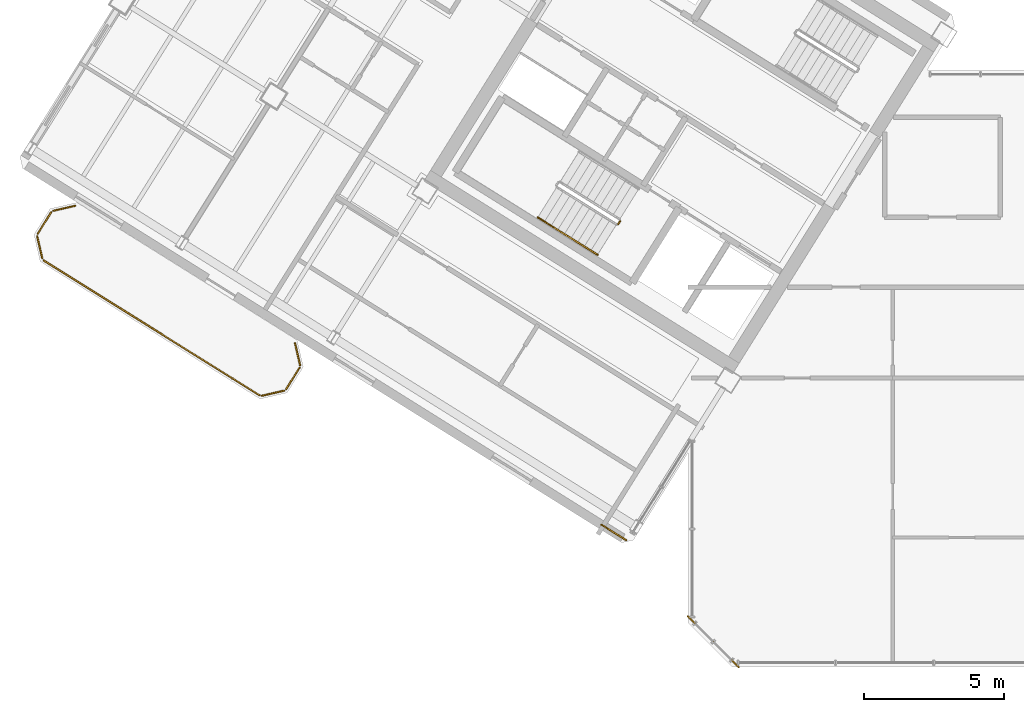
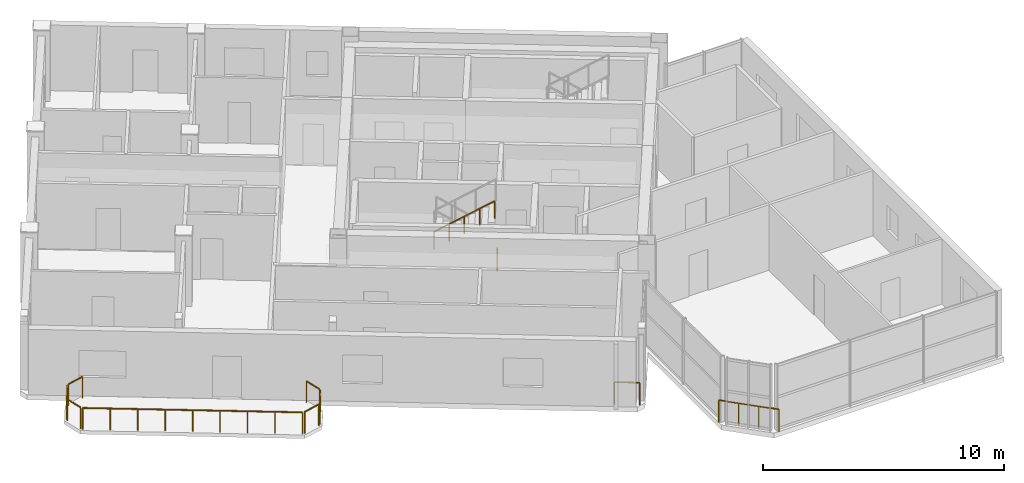
# One storey, part 11 of 13: 12 railings.
"""IFC4 building model written with IfcOpenShell, lengths in metres."""

import ifcopenshell
import ifcopenshell.guid

model = None  # the IFC model being written
_history = None  # IfcOwnerHistory: only IFC2X3 demands one
_inside = {}  # id of a spatial element -> (the spatial element, [elements in it])
_under = {}  # id of a project, library or spatial element -> (it, [spatial elements below it])
_declared = {}  # id of a project -> (the project, [libraries it declares])
_typed = {}  # id of a type object -> (the type object, [elements of that type])
_made_of = {}  # id of a material, layer set ... -> (it, [elements and type objects made of it])


def new_model(schema):
    """Start an empty IFC model of exactly this schema.

    Asked for "IFC4X3", IfcOpenShell would pick the latest addendum, in which some entities
    have other attributes; the version numbers below select the first issue.
    IFC2X3 requires an IfcOwnerHistory on every rooted entity: one is made here for all.
    """
    global model, _history
    if schema == "IFC4X3":
        model = ifcopenshell.file(schema_version=(4, 3, 0, 0))
    else:
        model = ifcopenshell.file(schema=schema)
    _inside.clear()
    _under.clear()
    _declared.clear()
    _typed.clear()
    _made_of.clear()
    _history = None
    if model.schema == "IFC2X3":
        org = make("IfcOrganization", Name="unknown")
        user = make(
            "IfcPersonAndOrganization",
            ThePerson=make("IfcPerson", FamilyName="unknown"),
            TheOrganization=org,
        )
        app = make(
            "IfcApplication",
            ApplicationDeveloper=org,
            Version="unknown",
            ApplicationFullName="unknown",
            ApplicationIdentifier="unknown",
        )
        _history = make(
            "IfcOwnerHistory",
            OwningUser=user,
            OwningApplication=app,
            ChangeAction="ADDED",
            CreationDate=0,
        )
    return model


def make(cls, **values):
    """One entity of the class cls with the attributes given. An attribute that is None is left unset."""
    return model.create_entity(
        cls, **{name: value for name, value in values.items() if value is not None}
    )


def rooted(cls, **values):
    """An entity with a GlobalId (a new one), such as an element, a storey or a relation."""
    return make(cls, GlobalId=ifcopenshell.guid.new(), OwnerHistory=_history, **values)


def si_unit(unit_type, name, prefix=None):
    """IfcSIUnit, for example si_unit("LENGTHUNIT", "METRE", prefix="MILLI")."""
    return make("IfcSIUnit", UnitType=unit_type, Prefix=prefix, Name=name)


def assignment(units):
    """IfcUnitAssignment: the units of a project."""
    return None if units is None else make("IfcUnitAssignment", Units=units)


def point(xyz):
    """IfcCartesianPoint."""
    return None if xyz is None else make("IfcCartesianPoint", Coordinates=xyz)


def direction(xyz):
    """IfcDirection."""
    return None if xyz is None else make("IfcDirection", DirectionRatios=xyz)


def frame(location, z_axis=None, x_axis=None):
    """IfcAxis2Placement3D, a coordinate frame: its origin and axes. An axis left out is left unset."""
    return make(
        "IfcAxis2Placement3D",
        Location=point(location),
        Axis=direction(z_axis),
        RefDirection=direction(x_axis),
    )


def frame_2d(location, x_axis=None):
    """IfcAxis2Placement2D, a coordinate frame in the plane: its origin and x axis."""
    return make(
        "IfcAxis2Placement2D", Location=point(location), RefDirection=direction(x_axis)
    )


def origin():
    """The frame at (0, 0, 0) with its axes left unset."""
    return frame((0.0, 0.0, 0.0))


def origin_2d():
    """The frame at (0, 0) in the plane with its x axis left unset."""
    return frame_2d((0.0, 0.0))


def place(relative_to, where):
    """IfcLocalPlacement: puts the frame where relative to a parent placement (None: the world)."""
    return make(
        "IfcLocalPlacement", PlacementRelTo=relative_to, RelativePlacement=where
    )


def context(
    kind, dimensions, precision=None, world=None, true_north=None, identifier=None
):
    """IfcGeometricRepresentationContext, for example the 3D "Model" context."""
    return make(
        "IfcGeometricRepresentationContext",
        ContextIdentifier=identifier,
        ContextType=kind,
        CoordinateSpaceDimension=dimensions,
        Precision=precision,
        WorldCoordinateSystem=world,
        TrueNorth=true_north,
    )


def subcontext(parent, identifier, kind, view, scale=None):
    """IfcGeometricRepresentationSubContext, for example "Body" below "Model"."""
    return make(
        "IfcGeometricRepresentationSubContext",
        ContextIdentifier=identifier,
        ContextType=kind,
        ParentContext=parent,
        TargetScale=scale,
        TargetView=view,
    )


def project(units=None, contexts=None):
    """IfcProject with its units and contexts."""
    return rooted(
        "IfcProject",
        Name="project",
        RepresentationContexts=contexts,
        UnitsInContext=assignment(units),
    )


def spatial(cls, under=None, at=None, **own):
    """A site, building, storey or space (cls), placed at a placement, below another one or the project."""
    s = rooted(cls, ObjectPlacement=at, **own)
    if under is not None:
        _under.setdefault(under.id(), (under, []))[1].append(s)
    return s


def profile(cls, at=None, kind="AREA", **sizes):
    """A parametric profile (cls). Its sizes go by their IFC names, for example OverallWidth=200.0."""
    return make(cls, ProfileType=kind, Position=at, **sizes)


def rectangle(**sizes):
    """IfcRectangleProfileDef."""
    return profile("IfcRectangleProfileDef", **sizes)


def extrude(swept, where, along, depth):
    """IfcExtrudedAreaSolid: the profile swept, set in the frame where, extruded along a direction by depth."""
    return make(
        "IfcExtrudedAreaSolid",
        SweptArea=swept,
        Position=where,
        ExtrudedDirection=direction(along),
        Depth=depth,
    )


def shape(context_of_items, identifier, shape_type, items):
    """IfcShapeRepresentation: the items that make up one representation, for example the "Body"."""
    return make(
        "IfcShapeRepresentation",
        ContextOfItems=context_of_items,
        RepresentationIdentifier=identifier,
        RepresentationType=shape_type,
        Items=items,
    )


def source(mapping_origin, context_of_items, identifier, shape_type, items):
    """IfcRepresentationMap: a shape defined once, which mapped items show again and again."""
    return make(
        "IfcRepresentationMap",
        MappingOrigin=mapping_origin,
        MappedRepresentation=shape(context_of_items, identifier, shape_type, items),
    )


def transform(
    local_origin,
    x_axis=None,
    y_axis=None,
    z_axis=None,
    scale=None,
    scale2=None,
    scale3=None,
    uniform=True,
):
    """IfcCartesianTransformationOperator3D, or its non-uniform kind. x_axis, y_axis, z_axis: its Axis1, 2, 3."""
    if uniform:
        return make(
            "IfcCartesianTransformationOperator3D",
            Axis1=direction(x_axis),
            Axis2=direction(y_axis),
            LocalOrigin=point(local_origin),
            Scale=scale,
            Axis3=direction(z_axis),
        )
    return make(
        "IfcCartesianTransformationOperator3DnonUniform",
        Axis1=direction(x_axis),
        Axis2=direction(y_axis),
        LocalOrigin=point(local_origin),
        Scale=scale,
        Axis3=direction(z_axis),
        Scale2=scale2,
        Scale3=scale3,
    )


def mapped(mapping_source, mapping_target):
    """IfcMappedItem: shows the shape of a source again, moved by a transform."""
    return make(
        "IfcMappedItem", MappingSource=mapping_source, MappingTarget=mapping_target
    )


def material(Name=None, Category=None):
    """IfcMaterial."""
    return make("IfcMaterial", Name=Name, Category=Category)


def made_of(thing, what):
    """Note that an element or type object is made of a material, layer set ...; save() writes the relation."""
    if what is not None:
        _made_of.setdefault(what.id(), (what, []))[1].append(thing)
    return thing


def type_object(cls, material=None, **own):
    """A type object (cls), such as IfcWallType, which elements share."""
    return made_of(rooted(cls, **own), material)


def element(
    cls,
    number,
    at=None,
    inside=None,
    cuts=None,
    type_object=None,
    material=None,
    context=None,
    identifier="Body",
    shape_type=None,
    held_by="IfcProductDefinitionShape",
    body=None,
    shapes=None,
    **own,
):
    """One element of the class cls, such as IfcWall. Its Tag is "e" and its number.

    at: its placement. inside: the storey or other place that contains it. cuts: it is an
    opening in that element (IfcRelVoidsElement). A single representation is given by context,
    identifier, shape_type and body (its items); several are given by shapes. held_by: the class
    of the entity that holds the representations. save() writes the other relations.
    """
    e = rooted(cls, Tag="e%d" % number, ObjectPlacement=at, **own)
    if body is not None:
        shapes = [shape(context, identifier, shape_type, body)]
    if shapes is not None:
        e.Representation = make(held_by, Representations=shapes)
    if inside is not None:
        _inside.setdefault(inside.id(), (inside, []))[1].append(e)
    if cuts is not None:
        rooted(
            "IfcRelVoidsElement", RelatingBuildingElement=cuts, RelatedOpeningElement=e
        )
    if type_object is not None:
        _typed.setdefault(type_object.id(), (type_object, []))[1].append(e)
    return made_of(e, material)


def aggregate(whole, parts):
    """IfcRelAggregates: a whole, such as a stair, and the parts it consists of."""
    return rooted("IfcRelAggregates", RelatingObject=whole, RelatedObjects=parts)


def save(model, path):
    """Write the relations noted so far, then the file.

    IfcRelAggregates (storeys below a building ...), IfcRelContainedInSpatialStructure (elements
    in a storey), IfcRelDefinesByType, IfcRelAssociatesMaterial and IfcRelDeclares: one each for
    every whole, place, type object, material and project.
    """
    for whole, parts in _under.values():
        aggregate(whole, parts)
    for where, things in _inside.values():
        rooted(
            "IfcRelContainedInSpatialStructure",
            RelatedElements=things,
            RelatingStructure=where,
        )
    for kind, things in _typed.values():
        rooted("IfcRelDefinesByType", RelatedObjects=things, RelatingType=kind)
    for what, things in _made_of.values():
        rooted("IfcRelAssociatesMaterial", RelatedObjects=things, RelatingMaterial=what)
    for by, libraries in _declared.values():
        rooted("IfcRelDeclares", RelatingContext=by, RelatedDefinitions=libraries)
    model.write(path)


model = new_model("IFC4")

# Units and contexts
model_context = context("Model", 3, precision=1e-05, world=origin(), true_north=direction((0.0, 1.0)))
body_context = subcontext(model_context, "Body", "Model", "MODEL_VIEW")
ifc_project = project(units=[si_unit("LENGTHUNIT", "METRE"), si_unit("AREAUNIT", "SQUARE_METRE"), si_unit("VOLUMEUNIT", "CUBIC_METRE"), si_unit("PLANEANGLEUNIT", "RADIAN"), si_unit("MASSUNIT", "GRAM", prefix="KILO")], contexts=[model_context])

# Site, building, storey
site_placement = place(None, origin())
site = spatial("IfcSite", under=ifc_project, at=site_placement, CompositionType="ELEMENT")
building_placement = place(site_placement, origin())
building = spatial("IfcBuilding", under=site, at=building_placement, Name="Tlacorven Tower", CompositionType="ELEMENT")
storey_placement = place(building_placement, frame((0.0, 0.0, 295.199951171875)))
storey = spatial("IfcBuildingStorey", under=building, at=storey_placement, Name="L75", CompositionType="ELEMENT", Elevation=295.199951171875)

# Railings
ifc_material = material(Name="Aluminium and painted steel balustrade", Category="steel")
railing_type_1 = type_object("IfcRailingType", Name="RL-BAL-1100", PredefinedType="BALUSTRADE", material=ifc_material)
shared_shape_1 = source(origin(), body_context, "Body", "SweptSolid", [
    extrude(rectangle(XDim=0.048095703125, YDim=0.048095703125, at=origin_2d()), frame((0.0, 0.0, 1.076171875), z_axis=(0.225058334816, -0.974345290916, 0.0), x_axis=(0.974345290916, 0.225058334816, 0.0)), (0.0, 0.0, 1.0), 0.80712890625),
    extrude(rectangle(XDim=0.0419921875, YDim=0.0419921875, at=origin_2d()), origin(), (0.0, 0.0, 1.0), 1.052001953125),
    extrude(rectangle(XDim=0.0419921875, YDim=0.0419921875, at=origin_2d()), frame((0.181640625, -0.786376953125, 0.0)), (0.0, 0.0, 1.0), 1.052001953125),
])
railing_1_placement = place(storey_placement, frame((17.5244140625, 13.413330078125, 0.0)))
element("IfcRailing", 1, at=railing_1_placement, inside=storey, type_object=railing_type_1, Name="BAL-L75-W-OUT Guard Railing 1", PredefinedType="BALUSTRADE", context=body_context, shape_type="MappedRepresentation", body=[
    mapped(shared_shape_1, transform((0.0, 0.0, 0.0), scale=1.0)),
])
shared_shape_2 = source(origin(), body_context, "Body", "SweptSolid", [
    extrude(rectangle(XDim=0.048095703125, YDim=0.048095703125, at=origin_2d()), frame((0.0, 0.0, 1.076171875), z_axis=(-0.52987865805, -0.848073468364, 0.0), x_axis=(0.848073468364, -0.52987865805, 0.0)), (0.0, 0.0, 1.0), 0.912353515625),
    extrude(rectangle(XDim=0.0419921875, YDim=0.0419921875, at=origin_2d()), origin(), (0.0, 0.0, 1.0), 1.052001953125),
    extrude(rectangle(XDim=0.0419921875, YDim=0.0419921875, at=origin_2d()), frame((-0.4833984375, -0.773681640625, 0.0)), (0.0, 0.0, 1.0), 1.052001953125),
])
railing_2_placement = place(storey_placement, frame((17.690673828125, 12.535888671875, 0.0)))
element("IfcRailing", 2, at=railing_2_placement, inside=storey, type_object=railing_type_1, Name="BAL-L75-W-OUT Guard Railing 2", PredefinedType="BALUSTRADE", context=body_context, shape_type="MappedRepresentation", body=[
    mapped(shared_shape_2, transform((0.0, 0.0, 0.0), scale=1.0)),
])
shared_shape_3 = source(origin(), body_context, "Body", "SweptSolid", [
    extrude(rectangle(XDim=0.048095703125, YDim=0.048095703125, at=origin_2d()), frame((0.0, 0.0, 1.076171875), z_axis=(-0.974411586182, -0.224771129628, 0.0), x_axis=(0.224771129628, -0.974411586182, 0.0)), (0.0, 0.0, 1.0), 0.80712890625),
    extrude(rectangle(XDim=0.0419921875, YDim=0.0419921875, at=origin_2d()), origin(), (0.0, 0.0, 1.0), 1.052001953125),
    extrude(rectangle(XDim=0.0419921875, YDim=0.0419921875, at=origin_2d()), frame((-0.786376953125, -0.181396484375, 0.0)), (0.0, 0.0, 1.0), 1.052001953125),
])
railing_3_placement = place(storey_placement, frame((17.132080078125, 11.70849609375, 0.0)))
element("IfcRailing", 3, at=railing_3_placement, inside=storey, type_object=railing_type_1, Name="BAL-L75-W-OUT Guard Railing 3", PredefinedType="BALUSTRADE", context=body_context, shape_type="MappedRepresentation", body=[
    mapped(shared_shape_3, transform((0.0, 0.0, 0.0), scale=1.0)),
])
shared_shape_4 = source(origin(), body_context, "Body", "SweptSolid", [
    extrude(rectangle(XDim=0.048095703125, YDim=0.048095703125, at=origin_2d()), frame((0.0, 0.0, 1.076171875), z_axis=(-0.225058334816, 0.974345290916, 0.0), x_axis=(-0.974345290916, -0.225058334816, 0.0)), (0.0, 0.0, 1.0), 0.80712890625),
    extrude(rectangle(XDim=0.0419921875, YDim=0.0419921875, at=origin_2d()), origin(), (0.0, 0.0, 1.0), 1.052001953125),
    extrude(rectangle(XDim=0.0419921875, YDim=0.0419921875, at=origin_2d()), frame((-0.181640625, 0.786376953125, 0.0)), (0.0, 0.0, 1.0), 1.052001953125),
])
railing_4_placement = place(storey_placement, frame((8.46923828125, 16.448974609375, 0.0)))
element("IfcRailing", 4, at=railing_4_placement, inside=storey, type_object=railing_type_1, Name="BAL-L75-W-OUT Guard Railing 5", PredefinedType="BALUSTRADE", context=body_context, shape_type="MappedRepresentation", body=[
    mapped(shared_shape_4, transform((0.0, 0.0, 0.0), scale=1.0)),
])
railing_type_2 = type_object("IfcRailingType", Name="RL-GRD-1150", PredefinedType="GUARDRAIL", material=ifc_material)
shared_shape_5 = source(origin(), body_context, "Body", "SweptSolid", [
    extrude(rectangle(XDim=0.048095703125, YDim=0.048095703125, at=origin_2d()), frame((0.0, 0.0, 1.1259765625), z_axis=(-0.707106781187, 0.707106781187, 0.0), x_axis=(-0.707106781187, -0.707106781187, 0.0)), (0.0, 0.0, 1.0), 2.590087890625),
    extrude(rectangle(XDim=0.0419921875, YDim=0.0419921875, at=origin_2d()), origin(), (0.0, 0.0, 1.0), 1.101806640625),
    extrude(rectangle(XDim=0.0419921875, YDim=0.0419921875, at=origin_2d()), frame((-0.610595703125, 0.610595703125, 0.0)), (0.0, 0.0, 1.0), 1.101806640625),
    extrude(rectangle(XDim=0.0419921875, YDim=0.0419921875, at=origin_2d()), frame((-1.220947265625, 1.220947265625, 0.0)), (0.0, 0.0, 1.0), 1.101806640625),
    extrude(rectangle(XDim=0.0419921875, YDim=0.0419921875, at=origin_2d()), frame((-1.83154296875, 1.83154296875, 0.0)), (0.0, 0.0, 1.0), 1.101806640625),
])
railing_5_placement = place(storey_placement, frame((33.428955078125, 1.79736328125, 0.0)))
element("IfcRailing", 5, at=railing_5_placement, inside=storey, type_object=railing_type_2, Name="L75 Knuckle Glazed Sill Guard 1", PredefinedType="GUARDRAIL", context=body_context, shape_type="MappedRepresentation", body=[
    mapped(shared_shape_5, transform((0.0, 0.0, 0.0), scale=1.0)),
])
shared_shape_6 = source(origin(), body_context, "Body", "SweptSolid", [
    extrude(rectangle(XDim=0.048095703125, YDim=0.048095703125, at=origin_2d()), frame((0.0, 0.0, 1.1259765625), z_axis=(-0.848102774857, 0.529831749973, 0.0), x_axis=(-0.529831749973, -0.848102774857, 0.0)), (0.0, 0.0, 1.0), 1.050048828125),
    extrude(rectangle(XDim=0.0419921875, YDim=0.0419921875, at=origin_2d()), origin(), (0.0, 0.0, 1.0), 1.101806640625),
    extrude(rectangle(XDim=0.0419921875, YDim=0.0419921875, at=origin_2d()), frame((-0.890625, 0.556396484375, 0.0)), (0.0, 0.0, 1.0), 1.101806640625),
])
railing_6_placement = place(storey_placement, frame((29.39501953125, 6.35009765625, 0.0)))
element("IfcRailing", 6, at=railing_6_placement, inside=storey, type_object=railing_type_2, Name="L75 Knuckle Glazed Sill Guard 2", PredefinedType="GUARDRAIL", context=body_context, shape_type="MappedRepresentation", body=[
    mapped(shared_shape_6, transform((0.0, 0.0, 0.0), scale=1.0)),
])
shared_shape_7 = source(origin(), body_context, "Body", "SweptSolid", [
    extrude(rectangle(XDim=0.048095703125, YDim=0.048095703125, at=origin_2d()), frame((0.0, 0.0, 1.076171875), z_axis=(-0.848047945797, 0.529919504859, 0.0), x_axis=(-0.529919504859, -0.848047945797, 0.0)), (0.0, 0.0, 1.0), 9.116943359375),
    extrude(rectangle(XDim=0.0419921875, YDim=0.0419921875, at=origin_2d()), origin(), (0.0, 0.0, 1.0), 1.052001953125),
    extrude(rectangle(XDim=0.0419921875, YDim=0.0419921875, at=origin_2d()), frame((-0.966552734375, 0.60400390625, 0.0)), (0.0, 0.0, 1.0), 1.052001953125),
    extrude(rectangle(XDim=0.0419921875, YDim=0.0419921875, at=origin_2d()), frame((-1.932861328125, 1.207763671875, 0.0)), (0.0, 0.0, 1.0), 1.052001953125),
    extrude(rectangle(XDim=0.0419921875, YDim=0.0419921875, at=origin_2d()), frame((-2.8994140625, 1.811767578125, 0.0)), (0.0, 0.0, 1.0), 1.052001953125),
    extrude(rectangle(XDim=0.0419921875, YDim=0.0419921875, at=origin_2d()), frame((-3.86572265625, 2.41552734375, 0.0)), (0.0, 0.0, 1.0), 1.052001953125),
    extrude(rectangle(XDim=0.0419921875, YDim=0.0419921875, at=origin_2d()), frame((-4.832275390625, 3.01953125, 0.0)), (0.0, 0.0, 1.0), 1.052001953125),
    extrude(rectangle(XDim=0.0419921875, YDim=0.0419921875, at=origin_2d()), frame((-5.798828125, 3.62353515625, 0.0)), (0.0, 0.0, 1.0), 1.052001953125),
    extrude(rectangle(XDim=0.0419921875, YDim=0.0419921875, at=origin_2d()), frame((-6.76513671875, 4.227294921875, 0.0)), (0.0, 0.0, 1.0), 1.052001953125),
    extrude(rectangle(XDim=0.0419921875, YDim=0.0419921875, at=origin_2d()), frame((-7.731689453125, 4.831298828125, 0.0)), (0.0, 0.0, 1.0), 1.052001953125),
])
railing_7_placement = place(storey_placement, frame((16.254638671875, 11.542236328125, 0.0)))
element("IfcRailing", 7, at=railing_7_placement, inside=storey, type_object=railing_type_1, Name="BAL-L75-W-OUT Guard Railing 4", PredefinedType="BALUSTRADE", context=body_context, shape_type="MappedRepresentation", body=[
    mapped(shared_shape_7, transform((0.0, 0.0, 0.0), scale=1.0)),
])
shared_shape_8 = source(origin(), body_context, "Body", "SweptSolid", [
    extrude(rectangle(XDim=0.048095703125, YDim=0.048095703125, at=origin_2d()), frame((0.0, 0.0, 1.076171875), z_axis=(0.529806412759, 0.848118603144, 0.0), x_axis=(-0.848118603144, 0.529806412759, 0.0)), (0.0, 0.0, 1.0), 0.911865234375),
    extrude(rectangle(XDim=0.0419921875, YDim=0.0419921875, at=origin_2d()), origin(), (0.0, 0.0, 1.0), 1.052001953125),
    extrude(rectangle(XDim=0.0419921875, YDim=0.0419921875, at=origin_2d()), frame((0.483154296875, 0.7734375, 0.0)), (0.0, 0.0, 1.0), 1.052001953125),
])
railing_8_placement = place(storey_placement, frame((8.302978515625, 17.326416015625, 0.0)))
element("IfcRailing", 8, at=railing_8_placement, inside=storey, type_object=railing_type_1, Name="BAL-L75-W-OUT Guard Railing 6", PredefinedType="BALUSTRADE", context=body_context, shape_type="MappedRepresentation", body=[
    mapped(shared_shape_8, transform((0.0, 0.0, 0.0), scale=1.0)),
])
shared_shape_9 = source(origin(), body_context, "Body", "SweptSolid", [
    extrude(rectangle(XDim=0.048095703125, YDim=0.048095703125, at=origin_2d()), frame((0.0, 0.0, 1.076171875), z_axis=(0.974360606036, 0.224992020761, 0.0), x_axis=(-0.224992020761, 0.974360606036, 0.0)), (0.0, 0.0, 1.0), 0.807373046875),
    extrude(rectangle(XDim=0.0419921875, YDim=0.0419921875, at=origin_2d()), origin(), (0.0, 0.0, 1.0), 1.052001953125),
    extrude(rectangle(XDim=0.0419921875, YDim=0.0419921875, at=origin_2d()), frame((0.78662109375, 0.181640625, 0.0)), (0.0, 0.0, 1.0), 1.052001953125),
])
railing_9_placement = place(storey_placement, frame((8.861328125, 18.153564453125, 0.0)))
element("IfcRailing", 9, at=railing_9_placement, inside=storey, type_object=railing_type_1, Name="BAL-L75-W-OUT Guard Railing 7", PredefinedType="BALUSTRADE", context=body_context, shape_type="MappedRepresentation", body=[
    mapped(shared_shape_9, transform((0.0, 0.0, 0.0), scale=1.0)),
])
railing_type_3 = type_object("IfcRailingType", Name="RL-GRD-1100", PredefinedType="GUARDRAIL", material=ifc_material)
shared_shape_10 = source(origin(), body_context, "Body", "SweptSolid", [
    extrude(rectangle(XDim=0.048095703125, YDim=0.048095703125, at=origin_2d()), frame((0.0, 0.0, 1.076171875), z_axis=(-0.529084052582, -0.848569422795, 0.0), x_axis=(0.848569422795, -0.529084052582, 0.0)), (0.0, 0.0, 1.0), 0.119873046875),
    extrude(rectangle(XDim=0.0419921875, YDim=0.0419921875, at=origin_2d()), origin(), (0.0, 0.0, 1.0), 1.052001953125),
    extrude(rectangle(XDim=0.0419921875, YDim=0.0419921875, at=origin_2d()), frame((-0.0634765625, -0.101806640625, 0.0)), (0.0, 0.0, 1.0), 1.052001953125),
])
railing_10_placement = place(storey_placement, frame((29.176513671875, 17.782958984375, 0.0)))
element("IfcRailing", 10, at=railing_10_placement, inside=storey, type_object=railing_type_3, Name="L75 ST-W1 stair guard 4", PredefinedType="GUARDRAIL", context=body_context, shape_type="MappedRepresentation", body=[
    mapped(shared_shape_10, transform((0.0, 0.0, 0.0), scale=1.0)),
])
railing_type_4 = type_object("IfcRailingType", Name="RL-HND-0900", PredefinedType="HANDRAIL", material=ifc_material)
shared_shape_11 = source(origin(), body_context, "Body", "SweptSolid", [
    extrude(rectangle(XDim=0.048095703125, YDim=0.048095703125, at=origin_2d()), frame((0.0, 0.0, 0.8759765625), z_axis=(0.713359751793, -0.4457479829, 0.540764828981), x_axis=(0.529911857636, 0.848052724267, 0.0)), (0.0, 0.0, 1.0), 1.498046875),
    extrude(rectangle(XDim=0.0419921875, YDim=0.0419921875, at=origin_2d()), origin(), (0.0, 0.0, 1.0), 0.851806640625),
    extrude(rectangle(XDim=0.0419921875, YDim=0.0419921875, at=origin_2d()), frame((0.5341796875, -0.333984375, 0.405029296875)), (0.0, 0.0, 1.0), 0.851806640625),
    extrude(rectangle(XDim=0.0419921875, YDim=0.0419921875, at=origin_2d()), frame((1.068603515625, -0.667724609375, 0.81005859375)), (0.0, 0.0, 1.0), 0.851806640625),
])
railing_11_placement = place(storey_placement, frame((26.228759765625, 17.915283203125, 1.97998046875)))
element("IfcRailing", 11, at=railing_11_placement, inside=storey, type_object=railing_type_4, Name="L75 ST-W1 stair handrail 3", PredefinedType="HANDRAIL", context=body_context, shape_type="MappedRepresentation", body=[
    mapped(shared_shape_11, transform((0.0, 0.0, 0.0), scale=1.0)),
])
shared_shape_12 = source(origin(), body_context, "Body", "SweptSolid", [
    extrude(rectangle(XDim=0.048095703125, YDim=0.048095703125, at=origin_2d()), frame((0.0, 0.0, 0.8759765625), z_axis=(0.713279695859, -0.445799809912, 0.540827703579), x_axis=(0.529998940003, 0.847998304005, 0.0)), (0.0, 0.0, 1.0), 1.497802734375),
    extrude(rectangle(XDim=0.0419921875, YDim=0.0419921875, at=origin_2d()), origin(), (0.0, 0.0, 1.0), 0.851806640625),
    extrude(rectangle(XDim=0.0419921875, YDim=0.0419921875, at=origin_2d()), frame((0.5341796875, -0.333984375, 0.405029296875)), (0.0, 0.0, 1.0), 0.851806640625),
    extrude(rectangle(XDim=0.0419921875, YDim=0.0419921875, at=origin_2d()), frame((1.068359375, -0.667724609375, 0.81005859375)), (0.0, 0.0, 1.0), 0.851806640625),
])
railing_12_placement = place(storey_placement, frame((27.29736328125, 17.24755859375, 2.7900390625)))
element("IfcRailing", 12, at=railing_12_placement, inside=storey, type_object=railing_type_4, Name="L75 ST-W1 stair handrail 4", PredefinedType="HANDRAIL", context=body_context, shape_type="MappedRepresentation", body=[
    mapped(shared_shape_12, transform((0.0, 0.0, 0.0), scale=1.0)),
])

save(model, "model.ifc")
